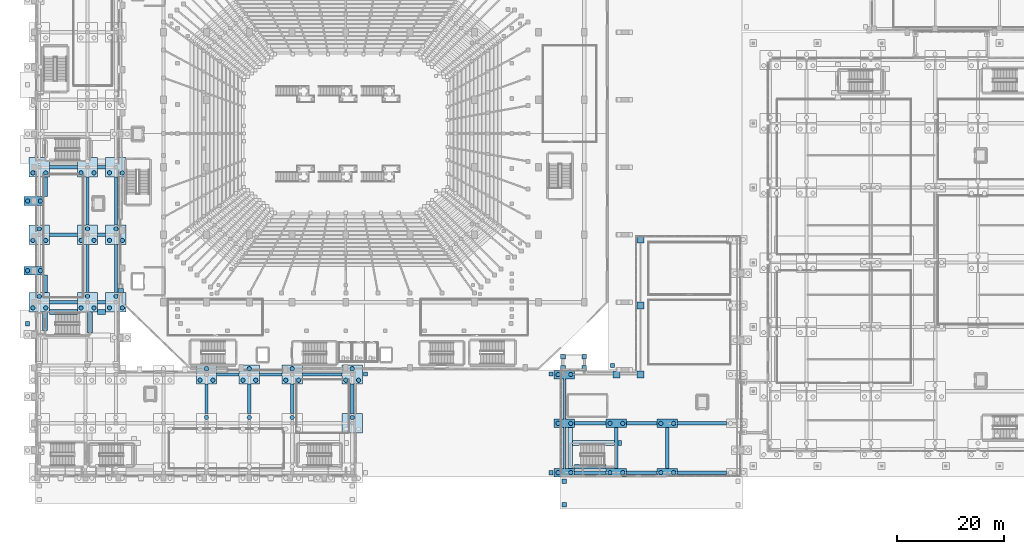
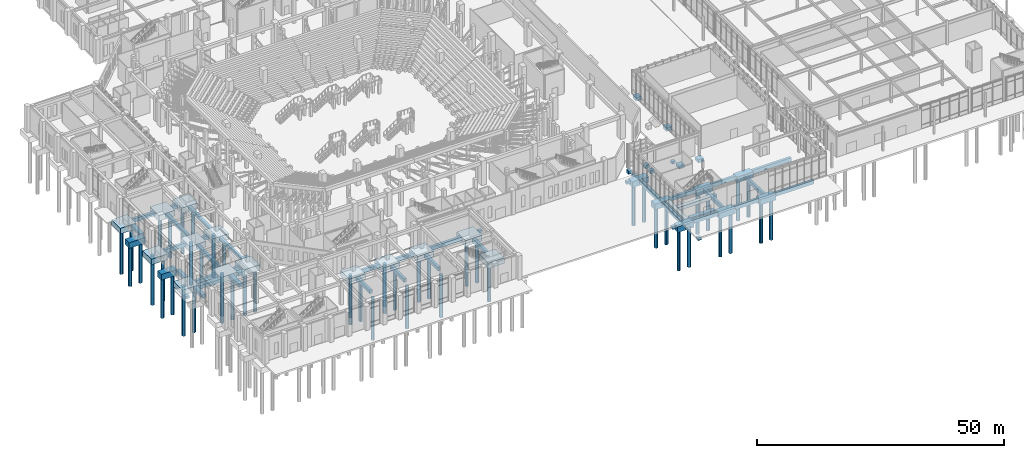
# One storey, part 2 of 143: 76 footings, 58 piles.
"""IFC4 building model written with IfcOpenShell, lengths in metres."""

from ifc_helpers import new_model, si_unit, derived_unit, direction, frame, origin, origin_2d, place, context, subcontext, project, spatial, rectangle, circle, extrude, material, layer, layer_set, material_profile, profile_set, type_object, element, save


model = new_model("IFC4")

# Units and contexts
model_context = context("Model", 3, precision=1e-05, world=origin(), true_north=direction((0.0, 1.0)))
body_context = subcontext(model_context, "Body", "Model", "MODEL_VIEW")
ifc_project = project(units=[si_unit("LENGTHUNIT", "METRE"), si_unit("AREAUNIT", "SQUARE_METRE"), si_unit("VOLUMEUNIT", "CUBIC_METRE"), si_unit("PLANEANGLEUNIT", "RADIAN"), si_unit("MASSUNIT", "GRAM", prefix="KILO"), derived_unit("THERMALTRANSMITTANCEUNIT", [(si_unit("MASSUNIT", "GRAM", prefix="KILO"), 1), (si_unit("TIMEUNIT", "SECOND"), -3), (si_unit("THERMODYNAMICTEMPERATUREUNIT", "KELVIN"), -1)])], contexts=[model_context])

# Site, building, storey
site_placement = place(None, origin())
site = spatial("IfcSite", under=ifc_project, at=site_placement, CompositionType="ELEMENT")
building_placement = place(site_placement, origin())
building = spatial("IfcBuilding", under=site, at=building_placement, Name="Valcora Ridge Arena", CompositionType="ELEMENT")
storey_placement = place(building_placement, origin())
storey = spatial("IfcBuildingStorey", under=building, at=storey_placement, Name="L00", CompositionType="ELEMENT", Elevation=0.0)

# Footings
ifc_material_1 = material(Name="Concrete C40/50", Category="concrete")
ifc_layer_1 = layer(ifc_material_1, 1.39990234375, Name="Concrete C40/50")
ifc_layer_set_1 = layer_set([ifc_layer_1], Name="Concrete C40/50")
footing_type_1 = type_object("IfcFootingType", Name="TY-FOOTING-PC-2P800", PredefinedType="PILE_CAP", material=ifc_layer_set_1)
for number, where, z_axis, x_axis, name in (
    (1, (98.800048828125, 0.800048828125, -1.849853515625), (0.0, 0.0, 1.0), (1.0, 0.0, 0.0), "PC-2P800 FND-PC-0156"),
    (2, (108.5, 0.800048828125, -1.849853515625), (0.0, 0.0, 1.0), (1.0, 0.0, 0.0), "PC-2P800 FND-PC-0157"),
    (3, (118.0, 0.800048828125, -1.849853515625), (0.0, 0.0, 1.0), (1.0, 0.0, 0.0), "PC-2P800 FND-PC-0158"),
    (4, (98.800048828125, 10.0, -1.849853515625), (0.0, 0.0, 1.0), (1.0, 0.0, 0.0), "PC-2P800 FND-PC-0160"),
    (5, (108.5, 10.0, -1.849853515625), (0.0, 0.0, 1.0), (1.0, 0.0, 0.0), "PC-2P800 FND-PC-0161"),
    (6, (118.0, 10.0, -1.849853515625), (0.0, 0.0, 1.0), (1.0, 0.0, 0.0), "PC-2P800 FND-PC-0162"),
    (7, (98.800048828125, 19.10009765625, -1.849853515625), (0.0, 0.0, 1.0), (1.0, 0.0, 0.0), "PC-2P800 FND-PC-0164"),
    (8, (-0.179931640625, 38.5, -1.849853515625), (0.0, 0.0, 1.0), (1.0, 0.0, 0.0), "PC-2P800 FND-PC-0252"),
    (9, (-0.179931640625, 51.5, -1.849853515625), (0.0, 0.0, 1.0), (1.0, 0.0, 0.0), "PC-2P800 FND-PC-0253"),
):
    element("IfcFooting", number, at=place(storey_placement, frame(where, z_axis=z_axis, x_axis=x_axis)), inside=storey, type_object=footing_type_1, Name=name, PredefinedType="PILE_CAP", context=body_context, shape_type="SweptSolid", body=[
        extrude(rectangle(XDim=3.800048828125, YDim=1.60009765625, at=origin_2d()), origin(), (0.0, 0.0, 1.0), 1.39990234375),
    ])
ifc_layer_2 = layer(ifc_material_1, 1.39990234375, Name="Concrete C40/50")
ifc_layer_set_2 = layer_set([ifc_layer_2], Name="Concrete C40/50")
footing_type_2 = type_object("IfcFootingType", Name="TY-FOOTING-PC-3P800", PredefinedType="PILE_CAP", material=ifc_layer_set_2)
for number, where, z_axis, x_axis, name in (
    (10, (32.0, 19.10009765625, -1.849853515625), (0.0, 0.0, 1.0), (1.0, 0.0, 0.0), "PC-3P800 FND-PC-0182"),
    (11, (40.0, 19.10009765625, -1.849853515625), (0.0, 0.0, 1.0), (1.0, 0.0, 0.0), "PC-3P800 FND-PC-0185"),
    (12, (48.0, 19.10009765625, -1.849853515625), (0.0, 0.0, 1.0), (1.0, 0.0, 0.0), "PC-3P800 FND-PC-0188"),
    (13, (59.199951171875, 10.0, -1.849853515625), (0.0, 0.0, 1.0), (1.0, 0.0, 0.0), "PC-3P800 FND-PC-0190"),
    (14, (59.199951171875, 19.10009765625, -1.849853515625), (0.0, 0.0, 1.0), (1.0, 0.0, 0.0), "PC-3P800 FND-PC-0191"),
    (15, (0.800048828125, 32.60009765625, -1.849853515625), (0.0, 0.0, 1.0), (1.0, 0.0, 0.0), "PC-3P800 FND-PC-0192"),
    (16, (0.800048828125, 45.199951171875, -1.849853515625), (0.0, 0.0, 1.0), (1.0, 0.0, 0.0), "PC-3P800 FND-PC-0193"),
    (17, (0.800048828125, 57.800048828125, -1.849853515625), (0.0, 0.0, 1.0), (1.0, 0.0, 0.0), "PC-3P800 FND-PC-0194"),
    (18, (9.800048828125, 32.60009765625, -1.849853515625), (0.0, 0.0, 1.0), (1.0, 0.0, 0.0), "PC-3P800 FND-PC-0198"),
    (19, (9.800048828125, 45.199951171875, -1.849853515625), (0.0, 0.0, 1.0), (1.0, 0.0, 0.0), "PC-3P800 FND-PC-0199"),
    (20, (9.800048828125, 57.800048828125, -1.849853515625), (0.0, 0.0, 1.0), (1.0, 0.0, 0.0), "PC-3P800 FND-PC-0200"),
    (21, (15.10009765625, 32.60009765625, -1.849853515625), (0.0, 0.0, 1.0), (1.0, 0.0, 0.0), "PC-3P800 FND-PC-0204"),
    (22, (15.10009765625, 45.199951171875, -1.849853515625), (0.0, 0.0, 1.0), (1.0, 0.0, 0.0), "PC-3P800 FND-PC-0205"),
    (23, (15.10009765625, 57.800048828125, -1.849853515625), (0.0, 0.0, 1.0), (1.0, 0.0, 0.0), "PC-3P800 FND-PC-0206"),
):
    element("IfcFooting", number, at=place(storey_placement, frame(where, z_axis=z_axis, x_axis=x_axis)), inside=storey, type_object=footing_type_2, Name=name, PredefinedType="PILE_CAP", context=body_context, shape_type="SweptSolid", body=[
        extrude(rectangle(XDim=3.800048828125, YDim=3.60009765625, at=origin_2d()), origin(), (0.0, 0.0, 1.0), 1.39990234375),
    ])
ifc_layer_3 = layer(ifc_material_1, 0.800048828125, Name="Concrete C40/50")
ifc_layer_set_3 = layer_set([ifc_layer_3], Name="Concrete C40/50")
footing_type_3 = type_object("IfcFootingType", Name="TY-FOOTING-PF-130", PredefinedType="PAD_FOOTING", material=ifc_layer_set_3)
for number, where, z_axis, x_axis, name in (
    (24, (108.5, 19.10009765625, -1.25), (0.0, 0.0, 1.0), (1.0, 0.0, 0.0), "PF-130 FND-SF-0033"),
    (25, (113.0, 19.10009765625, -1.25), (0.0, 0.0, 1.0), (1.0, 0.0, 0.0), "PF-130 FND-SF-0034"),
    (26, (113.0, 32.0, -1.25), (0.0, 0.0, 1.0), (1.0, 0.0, 0.0), "PF-130 FND-SF-0035"),
    (27, (113.0, 44.300048828125, -1.25), (0.0, 0.0, 1.0), (1.0, 0.0, 0.0), "PF-130 FND-SF-0036"),
):
    element("IfcFooting", number, at=place(storey_placement, frame(where, z_axis=z_axis, x_axis=x_axis)), inside=storey, type_object=footing_type_3, Name=name, PredefinedType="PAD_FOOTING", context=body_context, shape_type="SweptSolid", body=[
        extrude(rectangle(XDim=1.300048828125, YDim=1.300048828125, at=origin_2d()), origin(), (0.0, 0.0, 1.0), 0.800048828125),
    ])
ifc_layer_4 = layer(ifc_material_1, 0.800048828125, Name="Concrete C40/50")
ifc_layer_set_4 = layer_set([ifc_layer_4], Name="Concrete C40/50")
footing_type_4 = type_object("IfcFootingType", Name="TY-FOOTING-SF-BRG-900", PredefinedType="STRIP_FOOTING", material=ifc_layer_set_4)
footing_1_placement = place(storey_placement, frame((98.550048828125, 20.35107421875, -1.25), z_axis=(0.0, 0.0, 1.0), x_axis=(1.0, 0.0, 0.0)))
element("IfcFooting", 28, at=footing_1_placement, inside=storey, type_object=footing_type_4, Name="SF-BRG-900 FND-SF-0040", PredefinedType="STRIP_FOOTING", context=body_context, shape_type="SweptSolid", body=[
    extrude(rectangle(XDim=0.89990234375, YDim=0.89794921875, at=origin_2d()), origin(), (0.0, 0.0, 1.0), 0.800048828125),
])
for number, where, z_axis, x_axis, name in (
    (29, (102.5, 20.35009765625, -1.25), (0.0, 0.0, 1.0), (1.0, 0.0, 0.0), "SF-BRG-900 FND-SF-0041"),
    (30, (98.550048828125, 22.449951171875, -1.25), (0.0, 0.0, 1.0), (1.0, 0.0, 0.0), "SF-BRG-900 FND-SF-0042"),
    (31, (102.5, 22.449951171875, -1.25), (0.0, 0.0, 1.0), (1.0, 0.0, 0.0), "SF-BRG-900 FND-SF-0043"),
):
    element("IfcFooting", number, at=place(storey_placement, frame(where, z_axis=z_axis, x_axis=x_axis)), inside=storey, type_object=footing_type_4, Name=name, PredefinedType="STRIP_FOOTING", context=body_context, shape_type="SweptSolid", body=[
        extrude(rectangle(XDim=0.89990234375, YDim=0.89990234375, at=origin_2d()), origin(), (0.0, 0.0, 1.0), 0.800048828125),
    ])
ifc_material_2 = material(Name="Fire-resisting reinforced concrete enclosure C40/50 200 mm", Category="concrete")
ifc_layer_5 = layer(ifc_material_2, 0.800048828125, Name="Fire-resisting reinforced concrete enclosure C40/50 200 mm")
ifc_layer_set_5 = layer_set([ifc_layer_5], Name="Fire-resisting reinforced concrete enclosure C40/50 200 mm")
footing_type_5 = type_object("IfcFootingType", Name="TY-FOOTING-SF-ES-900", PredefinedType="STRIP_FOOTING", material=ifc_layer_set_5)
footing_2_placement = place(storey_placement, frame((5.300048828125, 30.81005859375, -1.25), z_axis=(0.0, 0.0, 1.0), x_axis=(1.0, 0.0, 0.0)))
element("IfcFooting", 32, at=footing_2_placement, inside=storey, type_object=footing_type_5, Name="SF-ES-900 FND-SF-0065", PredefinedType="STRIP_FOOTING", context=body_context, shape_type="SweptSolid", body=[
    extrude(rectangle(XDim=5.197998046875, YDim=0.89990234375, at=origin_2d()), origin(), (0.0, 0.0, 1.0), 0.800048828125),
])
footing_3_placement = place(storey_placement, frame((12.449951171875, 30.81005859375, -1.25), z_axis=(0.0, 0.0, 1.0), x_axis=(1.0, 0.0, 0.0)))
element("IfcFooting", 33, at=footing_3_placement, inside=storey, type_object=footing_type_5, Name="SF-ES-900 FND-SF-0066", PredefinedType="STRIP_FOOTING", context=body_context, shape_type="SweptSolid", body=[
    extrude(rectangle(XDim=1.498046875, YDim=0.89990234375, at=origin_2d()), origin(), (0.0, 0.0, 1.0), 0.800048828125),
])
footing_4_placement = place(storey_placement, frame((103.64990234375, 1.889892578125, -1.25), z_axis=(0.0, 0.0, 1.0), x_axis=(1.0, 0.0, 0.0)))
element("IfcFooting", 34, at=footing_4_placement, inside=storey, type_object=footing_type_5, Name="SF-ES-900 FND-SF-0081", PredefinedType="STRIP_FOOTING", context=body_context, shape_type="SweptSolid", body=[
    extrude(rectangle(XDim=5.89794921875, YDim=0.89990234375, at=origin_2d()), origin(), (0.0, 0.0, 1.0), 0.800048828125),
])
footing_5_placement = place(storey_placement, frame((104.27001953125, 6.31005859375, -1.25), z_axis=(0.0, 0.0, 1.0), x_axis=(1.0, 0.0, 0.0)))
element("IfcFooting", 35, at=footing_5_placement, inside=storey, type_object=footing_type_5, Name="SF-ES-900 FND-SF-0082", PredefinedType="STRIP_FOOTING", context=body_context, shape_type="SweptSolid", body=[
    extrude(rectangle(XDim=7.85791015625, YDim=0.89990234375, at=origin_2d()), origin(), (0.0, 0.0, 1.0), 0.800048828125),
])
footing_6_placement = place(storey_placement, frame((109.14111328125, 6.31005859375, -1.25), z_axis=(0.0, 0.0, 1.0), x_axis=(1.0, 0.0, 0.0)))
element("IfcFooting", 36, at=footing_6_placement, inside=storey, type_object=footing_type_5, Name="SF-ES-900 FND-SF-0083", PredefinedType="STRIP_FOOTING", context=body_context, shape_type="SweptSolid", body=[
    extrude(rectangle(XDim=0.677978515625, YDim=0.89990234375, at=origin_2d()), origin(), (0.0, 0.0, 1.0), 0.800048828125),
])
ifc_layer_6 = layer(ifc_material_2, 0.800048828125, Name="Fire-resisting reinforced concrete enclosure C40/50 200 mm")
ifc_layer_set_6 = layer_set([ifc_layer_6], Name="Fire-resisting reinforced concrete enclosure C40/50 200 mm")
footing_type_6 = type_object("IfcFootingType", Name="TY-FOOTING-SF-ESW-900", PredefinedType="STRIP_FOOTING", material=ifc_layer_set_6)
footing_7_placement = place(storey_placement, frame((1.889892578125, 29.050048828125, -1.25), z_axis=(0.0, 0.0, 1.0), x_axis=(1.0, 0.0, 0.0)))
element("IfcFooting", 37, at=footing_7_placement, inside=storey, type_object=footing_type_6, Name="SF-ESW-900 FND-SF-0068", PredefinedType="STRIP_FOOTING", context=body_context, shape_type="SweptSolid", body=[
    extrude(rectangle(XDim=0.89990234375, YDim=3.498046875, at=origin_2d()), origin(), (0.0, 0.0, 1.0), 0.800048828125),
])
footing_8_placement = place(storey_placement, frame((1.889892578125, 36.050048828125, -1.25), z_axis=(0.0, 0.0, 1.0), x_axis=(1.0, 0.0, 0.0)))
element("IfcFooting", 38, at=footing_8_placement, inside=storey, type_object=footing_type_6, Name="SF-ESW-900 FND-SF-0069", PredefinedType="STRIP_FOOTING", context=body_context, shape_type="SweptSolid", body=[
    extrude(rectangle(XDim=0.89990234375, YDim=3.298095703125, at=origin_2d()), origin(), (0.0, 0.0, 1.0), 0.800048828125),
])
footing_9_placement = place(storey_placement, frame((10.27001953125, 28.820068359375, -1.25), z_axis=(0.0, 0.0, 1.0), x_axis=(1.0, 0.0, 0.0)))
element("IfcFooting", 39, at=footing_9_placement, inside=storey, type_object=footing_type_6, Name="SF-ESW-900 FND-SF-0071", PredefinedType="STRIP_FOOTING", context=body_context, shape_type="SweptSolid", body=[
    extrude(rectangle(XDim=0.89990234375, YDim=3.9580078125, at=origin_2d()), origin(), (0.0, 0.0, 1.0), 0.800048828125),
])
footing_10_placement = place(storey_placement, frame((1.889892578125, 54.14990234375, -1.25), z_axis=(0.0, 0.0, 1.0), x_axis=(1.0, 0.0, 0.0)))
element("IfcFooting", 40, at=footing_10_placement, inside=storey, type_object=footing_type_6, Name="SF-ESW-900 FND-SF-0075", PredefinedType="STRIP_FOOTING", context=body_context, shape_type="SweptSolid", body=[
    extrude(rectangle(XDim=0.89990234375, YDim=3.697998046875, at=origin_2d()), origin(), (0.0, 0.0, 1.0), 0.800048828125),
])
footing_11_placement = place(storey_placement, frame((99.889892578125, 5.39990234375, -1.25), z_axis=(0.0, 0.0, 1.0), x_axis=(1.0, 0.0, 0.0)))
element("IfcFooting", 41, at=footing_11_placement, inside=storey, type_object=footing_type_6, Name="SF-ESW-900 FND-SF-0080", PredefinedType="STRIP_FOOTING", context=body_context, shape_type="SweptSolid", body=[
    extrude(rectangle(XDim=0.89990234375, YDim=7.597900390625, at=origin_2d()), origin(), (0.0, 0.0, 1.0), 0.800048828125),
])
ifc_layer_7 = layer(ifc_material_1, 0.60009765625, Name="Concrete C40/50")
ifc_layer_set_7 = layer_set([ifc_layer_7], Name="Concrete C40/50")
footing_type_7 = type_object("IfcFootingType", Name="TY-FOOTING-SF-PVG-800", PredefinedType="STRIP_FOOTING", material=ifc_layer_set_7)
for number, where, z_axis, x_axis, name in (
    (42, (96.300048828125, 0.800048828125, -1.0), (0.0, 0.0, 1.0), (1.0, 0.0, 0.0), "SF-PVG-800 FND-PV-0006"),
    (43, (96.300048828125, 19.199951171875, -1.0), (0.0, 0.0, 1.0), (1.0, 0.0, 0.0), "SF-PVG-800 FND-PV-0007"),
    (44, (61.699951171875, 19.199951171875, -1.0), (0.0, 0.0, 1.0), (1.0, 0.0, 0.0), "SF-PVG-800 FND-PV-0008"),
    (45, (98.800048828125, -5.199951171875, -1.0), (0.0, 0.0, 1.0), (1.0, 0.0, 0.0), "SF-PVG-800 FND-PV-0009"),
    (46, (98.800048828125, -0.800048828125, -1.0), (0.0, 0.0, 1.0), (1.0, 0.0, 0.0), "SF-PVG-800 FND-PV-0012"),
    (47, (107.800048828125, 20.800048828125, -1.0), (0.0, 0.0, 1.0), (1.0, 0.0, 0.0), "SF-PVG-800 FND-PV-0013"),
    (48, (-1.39990234375, 28.60009765625, -0.840087890625), (0.0, 0.0, 1.0), (1.0, 0.0, 0.0), "SF-PVG-800 FND-XP-0001"),
):
    element("IfcFooting", number, at=place(storey_placement, frame(where, z_axis=z_axis, x_axis=x_axis)), inside=storey, type_object=footing_type_7, Name=name, PredefinedType="STRIP_FOOTING", context=body_context, shape_type="SweptSolid", body=[
        extrude(rectangle(XDim=0.800048828125, YDim=0.800048828125, at=origin_2d()), origin(), (0.0, 0.0, 1.0), 0.60009765625),
    ])
ifc_layer_8 = layer(ifc_material_1, 0.800048828125, Name="Concrete C40/50")
ifc_layer_set_8 = layer_set([ifc_layer_8], Name="Concrete C40/50")
footing_type_8 = type_object("IfcFootingType", Name="TY-FOOTING-SF-STRAP-900", PredefinedType="STRIP_FOOTING", material=ifc_layer_set_8)
footing_12_placement = place(storey_placement, frame((16.0, 34.801025390625, -1.25), z_axis=(0.0, 0.0, 1.0), x_axis=(1.0, 0.0, 0.0)))
element("IfcFooting", 49, at=footing_12_placement, inside=storey, type_object=footing_type_8, Name="SF-STRAP-900 FND-SF-0003", PredefinedType="STRIP_FOOTING", context=body_context, shape_type="SweptSolid", body=[
    extrude(rectangle(XDim=1.10009765625, YDim=0.798095703125, at=origin_2d()), origin(), (0.0, 0.0, 1.0), 0.800048828125),
])
ifc_layer_9 = layer(ifc_material_1, 0.89990234375, Name="Concrete C40/50")
ifc_layer_set_9 = layer_set([ifc_layer_9], Name="Concrete C40/50")
footing_type_9 = type_object("IfcFootingType", Name="TY-FOOTING-TBX-015", PredefinedType="FOOTING_BEAM", material=ifc_layer_set_9)
for number, where, z_axis, x_axis, name in (
    (50, (12.449951171875, 32.60009765625, -1.349853515625), (0.0, 0.0, 1.0), (1.0, 0.0, 0.0), "TBX-015 FND-TB-0229"),
    (51, (12.449951171875, 45.199951171875, -1.349853515625), (0.0, 0.0, 1.0), (1.0, 0.0, 0.0), "TBX-015 FND-TB-0231"),
    (52, (12.449951171875, 57.800048828125, -1.349853515625), (0.0, 0.0, 1.0), (1.0, 0.0, 0.0), "TBX-015 FND-TB-0233"),
):
    element("IfcFooting", number, at=place(storey_placement, frame(where, z_axis=z_axis, x_axis=x_axis)), inside=storey, type_object=footing_type_9, Name=name, PredefinedType="FOOTING_BEAM", context=body_context, shape_type="SweptSolid", body=[
        extrude(rectangle(XDim=1.498046875, YDim=0.60009765625, at=origin_2d()), origin(), (0.0, 0.0, 1.0), 0.89990234375),
    ])
ifc_layer_10 = layer(ifc_material_1, 0.89990234375, Name="Concrete C40/50")
ifc_layer_set_10 = layer_set([ifc_layer_10], Name="Concrete C40/50")
footing_type_10 = type_object("IfcFootingType", Name="TY-FOOTING-TBX-042", PredefinedType="FOOTING_BEAM", material=ifc_layer_set_10)
for number, where, z_axis, x_axis, name in (
    (53, (36.0, 19.10009765625, -1.349853515625), (0.0, 0.0, 1.0), (1.0, 0.0, 0.0), "TBX-042 FND-TB-0225"),
    (54, (44.0, 19.10009765625, -1.349853515625), (0.0, 0.0, 1.0), (1.0, 0.0, 0.0), "TBX-042 FND-TB-0226"),
):
    element("IfcFooting", number, at=place(storey_placement, frame(where, z_axis=z_axis, x_axis=x_axis)), inside=storey, type_object=footing_type_10, Name=name, PredefinedType="FOOTING_BEAM", context=body_context, shape_type="SweptSolid", body=[
        extrude(rectangle(XDim=4.197998046875, YDim=0.60009765625, at=origin_2d()), origin(), (0.0, 0.0, 1.0), 0.89990234375),
    ])
ifc_layer_11 = layer(ifc_material_1, 0.89990234375, Name="Concrete C40/50")
ifc_layer_set_11 = layer_set([ifc_layer_11], Name="Concrete C40/50")
footing_type_11 = type_object("IfcFootingType", Name="TY-FOOTING-TBX-052", PredefinedType="FOOTING_BEAM", material=ifc_layer_set_11)
for number, where, z_axis, x_axis, name in (
    (55, (5.300048828125, 32.60009765625, -1.349853515625), (0.0, 0.0, 1.0), (1.0, 0.0, 0.0), "TBX-052 FND-TB-0228"),
    (56, (5.300048828125, 45.199951171875, -1.349853515625), (0.0, 0.0, 1.0), (1.0, 0.0, 0.0), "TBX-052 FND-TB-0230"),
    (57, (5.300048828125, 57.800048828125, -1.349853515625), (0.0, 0.0, 1.0), (1.0, 0.0, 0.0), "TBX-052 FND-TB-0232"),
):
    element("IfcFooting", number, at=place(storey_placement, frame(where, z_axis=z_axis, x_axis=x_axis)), inside=storey, type_object=footing_type_11, Name=name, PredefinedType="FOOTING_BEAM", context=body_context, shape_type="SweptSolid", body=[
        extrude(rectangle(XDim=5.197998046875, YDim=0.60009765625, at=origin_2d()), origin(), (0.0, 0.0, 1.0), 0.89990234375),
    ])
ifc_layer_12 = layer(ifc_material_1, 0.89990234375, Name="Concrete C40/50")
ifc_layer_set_12 = layer_set([ifc_layer_12], Name="Concrete C40/50")
footing_type_12 = type_object("IfcFootingType", Name="TY-FOOTING-TBX-057", PredefinedType="FOOTING_BEAM", material=ifc_layer_set_12)
for number, where, z_axis, x_axis, name in (
    (58, (113.25, 0.800048828125, -1.349853515625), (0.0, 0.0, 1.0), (1.0, 0.0, 0.0), "TBX-057 FND-TB-0209"),
    (59, (113.25, 10.0, -1.349853515625), (0.0, 0.0, 1.0), (1.0, 0.0, 0.0), "TBX-057 FND-TB-0219"),
):
    element("IfcFooting", number, at=place(storey_placement, frame(where, z_axis=z_axis, x_axis=x_axis)), inside=storey, type_object=footing_type_12, Name=name, PredefinedType="FOOTING_BEAM", context=body_context, shape_type="SweptSolid", body=[
        extrude(rectangle(XDim=5.697998046875, YDim=0.60009765625, at=origin_2d()), origin(), (0.0, 0.0, 1.0), 0.89990234375),
    ])
ifc_layer_13 = layer(ifc_material_1, 0.89990234375, Name="Concrete C40/50")
ifc_layer_set_13 = layer_set([ifc_layer_13], Name="Concrete C40/50")
footing_type_13 = type_object("IfcFootingType", Name="TY-FOOTING-TBX-059", PredefinedType="FOOTING_BEAM", material=ifc_layer_set_13)
for number, where, z_axis, x_axis, name in (
    (60, (103.64990234375, 0.800048828125, -1.349853515625), (0.0, 0.0, 1.0), (1.0, 0.0, 0.0), "TBX-059 FND-TB-0208"),
    (61, (103.64990234375, 10.0, -1.349853515625), (0.0, 0.0, 1.0), (1.0, 0.0, 0.0), "TBX-059 FND-TB-0218"),
):
    element("IfcFooting", number, at=place(storey_placement, frame(where, z_axis=z_axis, x_axis=x_axis)), inside=storey, type_object=footing_type_13, Name=name, PredefinedType="FOOTING_BEAM", context=body_context, shape_type="SweptSolid", body=[
        extrude(rectangle(XDim=5.89794921875, YDim=0.60009765625, at=origin_2d()), origin(), (0.0, 0.0, 1.0), 0.89990234375),
    ])
ifc_layer_14 = layer(ifc_material_1, 0.89990234375, Name="Concrete C40/50")
ifc_layer_set_14 = layer_set([ifc_layer_14], Name="Concrete C40/50")
footing_type_14 = type_object("IfcFootingType", Name="TY-FOOTING-TBX-074", PredefinedType="FOOTING_BEAM", material=ifc_layer_set_14)
footing_13_placement = place(storey_placement, frame((53.60009765625, 19.10009765625, -1.349853515625), z_axis=(0.0, 0.0, 1.0), x_axis=(1.0, 0.0, 0.0)))
element("IfcFooting", 62, at=footing_13_placement, inside=storey, type_object=footing_type_14, Name="TBX-074 FND-TB-0227", PredefinedType="FOOTING_BEAM", context=body_context, shape_type="SweptSolid", body=[
    extrude(rectangle(XDim=7.39794921875, YDim=0.60009765625, at=origin_2d()), origin(), (0.0, 0.0, 1.0), 0.89990234375),
])
ifc_layer_15 = layer(ifc_material_1, 0.89990234375, Name="Concrete C40/50")
ifc_layer_set_15 = layer_set([ifc_layer_15], Name="Concrete C40/50")
footing_type_15 = type_object("IfcFootingType", Name="TY-FOOTING-TBX-092", PredefinedType="FOOTING_BEAM", material=ifc_layer_set_15)
for number, where, z_axis, x_axis, name in (
    (63, (124.5, 0.800048828125, -1.349853515625), (0.0, 0.0, 1.0), (1.0, 0.0, 0.0), "TBX-092 FND-TB-0210"),
    (64, (124.5, 10.0, -1.349853515625), (0.0, 0.0, 1.0), (1.0, 0.0, 0.0), "TBX-092 FND-TB-0220"),
):
    element("IfcFooting", number, at=place(storey_placement, frame(where, z_axis=z_axis, x_axis=x_axis)), inside=storey, type_object=footing_type_15, Name=name, PredefinedType="FOOTING_BEAM", context=body_context, shape_type="SweptSolid", body=[
        extrude(rectangle(XDim=9.197998046875, YDim=0.60009765625, at=origin_2d()), origin(), (0.0, 0.0, 1.0), 0.89990234375),
    ])
ifc_layer_16 = layer(ifc_material_1, 0.89990234375, Name="Concrete C40/50")
ifc_layer_set_16 = layer_set([ifc_layer_16], Name="Concrete C40/50")
footing_type_16 = type_object("IfcFootingType", Name="TY-FOOTING-TBY-055", PredefinedType="FOOTING_BEAM", material=ifc_layer_set_16)
for number, where, z_axis, x_axis, name in (
    (65, (32.0, 14.550048828125, -1.349853515625), (0.0, 0.0, 1.0), (1.0, 0.0, 0.0), "TBY-055 FND-TB-0285"),
    (66, (40.0, 14.550048828125, -1.349853515625), (0.0, 0.0, 1.0), (1.0, 0.0, 0.0), "TBY-055 FND-TB-0287"),
    (67, (48.0, 14.550048828125, -1.349853515625), (0.0, 0.0, 1.0), (1.0, 0.0, 0.0), "TBY-055 FND-TB-0289"),
    (68, (59.199951171875, 14.550048828125, -1.349853515625), (0.0, 0.0, 1.0), (1.0, 0.0, 0.0), "TBY-055 FND-TB-0291"),
):
    element("IfcFooting", number, at=place(storey_placement, frame(where, z_axis=z_axis, x_axis=x_axis)), inside=storey, type_object=footing_type_16, Name=name, PredefinedType="FOOTING_BEAM", context=body_context, shape_type="SweptSolid", body=[
        extrude(rectangle(XDim=0.60009765625, YDim=5.498046875, at=origin_2d()), origin(), (0.0, 0.0, 1.0), 0.89990234375),
    ])
ifc_layer_17 = layer(ifc_material_1, 0.89990234375, Name="Concrete C40/50")
ifc_layer_set_17 = layer_set([ifc_layer_17], Name="Concrete C40/50")
footing_type_17 = type_object("IfcFootingType", Name="TY-FOOTING-TBY-075", PredefinedType="FOOTING_BEAM", material=ifc_layer_set_17)
footing_14_placement = place(storey_placement, frame((98.800048828125, 14.550048828125, -1.349853515625), z_axis=(0.0, 0.0, 1.0), x_axis=(1.0, 0.0, 0.0)))
element("IfcFooting", 69, at=footing_14_placement, inside=storey, type_object=footing_type_17, Name="TBY-075 FND-TB-0270", PredefinedType="FOOTING_BEAM", context=body_context, shape_type="SweptSolid", body=[
    extrude(rectangle(XDim=0.60009765625, YDim=7.498046875, at=origin_2d()), origin(), (0.0, 0.0, 1.0), 0.89990234375),
])
ifc_layer_18 = layer(ifc_material_1, 0.89990234375, Name="Concrete C40/50")
ifc_layer_set_18 = layer_set([ifc_layer_18], Name="Concrete C40/50")
footing_type_18 = type_object("IfcFootingType", Name="TY-FOOTING-TBY-076", PredefinedType="FOOTING_BEAM", material=ifc_layer_set_18)
for number, where, z_axis, x_axis, name in (
    (70, (98.800048828125, 5.39990234375, -1.349853515625), (0.0, 0.0, 1.0), (1.0, 0.0, 0.0), "TBY-076 FND-TB-0269"),
    (71, (108.5, 5.39990234375, -1.349853515625), (0.0, 0.0, 1.0), (1.0, 0.0, 0.0), "TBY-076 FND-TB-0271"),
    (72, (118.0, 5.39990234375, -1.349853515625), (0.0, 0.0, 1.0), (1.0, 0.0, 0.0), "TBY-076 FND-TB-0272"),
):
    element("IfcFooting", number, at=place(storey_placement, frame(where, z_axis=z_axis, x_axis=x_axis)), inside=storey, type_object=footing_type_18, Name=name, PredefinedType="FOOTING_BEAM", context=body_context, shape_type="SweptSolid", body=[
        extrude(rectangle(XDim=0.60009765625, YDim=7.597900390625, at=origin_2d()), origin(), (0.0, 0.0, 1.0), 0.89990234375),
    ])
ifc_layer_19 = layer(ifc_material_1, 0.89990234375, Name="Concrete C40/50")
ifc_layer_set_19 = layer_set([ifc_layer_19], Name="Concrete C40/50")
footing_type_19 = type_object("IfcFootingType", Name="TY-FOOTING-TBY-090", PredefinedType="FOOTING_BEAM", material=ifc_layer_set_19)
for number, where, z_axis, x_axis, name in (
    (73, (15.10009765625, 38.89990234375, -1.349853515625), (0.0, 0.0, 1.0), (1.0, 0.0, 0.0), "TBY-090 FND-TB-0278"),
    (74, (15.10009765625, 51.5, -1.349853515625), (0.0, 0.0, 1.0), (1.0, 0.0, 0.0), "TBY-090 FND-TB-0279"),
    (75, (9.800048828125, 38.89990234375, -1.349853515625), (0.0, 0.0, 1.0), (1.0, 0.0, 0.0), "TBY-090 FND-TB-0292"),
    (76, (9.800048828125, 51.5, -1.349853515625), (0.0, 0.0, 1.0), (1.0, 0.0, 0.0), "TBY-090 FND-TB-0293"),
):
    element("IfcFooting", number, at=place(storey_placement, frame(where, z_axis=z_axis, x_axis=x_axis)), inside=storey, type_object=footing_type_19, Name=name, PredefinedType="FOOTING_BEAM", context=body_context, shape_type="SweptSolid", body=[
        extrude(rectangle(XDim=0.60009765625, YDim=8.998046875, at=origin_2d()), origin(), (0.0, 0.0, 1.0), 0.89990234375),
    ])

# Piles
ifc_material_3 = material(Name="Concrete C35/45", Category="concrete")
ifc_material_profile_1 = material_profile(ifc_material_3, circle(Radius=0.39990234375, at=origin_2d()), Name="BORED PILE D800")
ifc_profile_set_1 = profile_set([ifc_material_profile_1], Name="Concrete C35/45")
pile_type_1 = type_object("IfcPileType", Name="TY-PILE-P-800A", PredefinedType="BORED", material=ifc_profile_set_1)
for number, where, z_axis, x_axis, name in (
    (77, (32.0, 11.10009765625, -1.75), (0.0, 0.0, -1.0), (1.0, 0.0, 0.0), "P-800A FND-PL-P-800A-0147"),
    (78, (30.800048828125, 18.050048828125, -1.75), (0.0, 0.0, -1.0), (1.0, 0.0, 0.0), "P-800A FND-PL-P-800A-0148"),
    (79, (33.199951171875, 18.050048828125, -1.75), (0.0, 0.0, -1.0), (1.0, 0.0, 0.0), "P-800A FND-PL-P-800A-0149"),
    (80, (32.0, 20.199951171875, -1.75), (0.0, 0.0, -1.0), (1.0, 0.0, 0.0), "P-800A FND-PL-P-800A-0150"),
    (81, (40.0, 11.10009765625, -1.75), (0.0, 0.0, -1.0), (1.0, 0.0, 0.0), "P-800A FND-PL-P-800A-0156"),
    (82, (38.800048828125, 18.050048828125, -1.75), (0.0, 0.0, -1.0), (1.0, 0.0, 0.0), "P-800A FND-PL-P-800A-0157"),
    (83, (41.199951171875, 18.050048828125, -1.75), (0.0, 0.0, -1.0), (1.0, 0.0, 0.0), "P-800A FND-PL-P-800A-0158"),
    (84, (40.0, 20.199951171875, -1.75), (0.0, 0.0, -1.0), (1.0, 0.0, 0.0), "P-800A FND-PL-P-800A-0159"),
    (85, (48.0, 11.10009765625, -1.75), (0.0, 0.0, -1.0), (1.0, 0.0, 0.0), "P-800A FND-PL-P-800A-0165"),
    (86, (46.800048828125, 18.050048828125, -1.75), (0.0, 0.0, -1.0), (1.0, 0.0, 0.0), "P-800A FND-PL-P-800A-0166"),
    (87, (49.199951171875, 18.050048828125, -1.75), (0.0, 0.0, -1.0), (1.0, 0.0, 0.0), "P-800A FND-PL-P-800A-0167"),
    (88, (48.0, 20.199951171875, -1.75), (0.0, 0.0, -1.0), (1.0, 0.0, 0.0), "P-800A FND-PL-P-800A-0168"),
    (89, (59.199951171875, 11.10009765625, -1.75), (0.0, 0.0, -1.0), (1.0, 0.0, 0.0), "P-800A FND-PL-P-800A-0174"),
    (90, (58.0, 18.050048828125, -1.75), (0.0, 0.0, -1.0), (1.0, 0.0, 0.0), "P-800A FND-PL-P-800A-0175"),
    (91, (60.39990234375, 18.050048828125, -1.75), (0.0, 0.0, -1.0), (1.0, 0.0, 0.0), "P-800A FND-PL-P-800A-0176"),
    (92, (59.199951171875, 20.199951171875, -1.75), (0.0, 0.0, -1.0), (1.0, 0.0, 0.0), "P-800A FND-PL-P-800A-0177"),
    (93, (-0.39990234375, 31.550048828125, -1.75), (0.0, 0.0, -1.0), (1.0, 0.0, 0.0), "P-800A FND-PL-P-800A-0178"),
    (94, (2.0, 31.550048828125, -1.75), (0.0, 0.0, -1.0), (1.0, 0.0, 0.0), "P-800A FND-PL-P-800A-0179"),
    (95, (0.800048828125, 33.699951171875, -1.75), (0.0, 0.0, -1.0), (1.0, 0.0, 0.0), "P-800A FND-PL-P-800A-0180"),
    (96, (-0.39990234375, 44.14990234375, -1.75), (0.0, 0.0, -1.0), (1.0, 0.0, 0.0), "P-800A FND-PL-P-800A-0181"),
    (97, (2.0, 44.14990234375, -1.75), (0.0, 0.0, -1.0), (1.0, 0.0, 0.0), "P-800A FND-PL-P-800A-0182"),
    (98, (0.800048828125, 46.300048828125, -1.75), (0.0, 0.0, -1.0), (1.0, 0.0, 0.0), "P-800A FND-PL-P-800A-0183"),
    (99, (-0.39990234375, 56.75, -1.75), (0.0, 0.0, -1.0), (1.0, 0.0, 0.0), "P-800A FND-PL-P-800A-0184"),
    (100, (2.0, 56.75, -1.75), (0.0, 0.0, -1.0), (1.0, 0.0, 0.0), "P-800A FND-PL-P-800A-0185"),
    (101, (8.60009765625, 31.550048828125, -1.75), (0.0, 0.0, -1.0), (1.0, 0.0, 0.0), "P-800A FND-PL-P-800A-0196"),
    (102, (11.0, 31.550048828125, -1.75), (0.0, 0.0, -1.0), (1.0, 0.0, 0.0), "P-800A FND-PL-P-800A-0197"),
    (103, (9.800048828125, 33.699951171875, -1.75), (0.0, 0.0, -1.0), (1.0, 0.0, 0.0), "P-800A FND-PL-P-800A-0198"),
    (104, (8.60009765625, 44.14990234375, -1.75), (0.0, 0.0, -1.0), (1.0, 0.0, 0.0), "P-800A FND-PL-P-800A-0199"),
    (105, (11.0, 44.14990234375, -1.75), (0.0, 0.0, -1.0), (1.0, 0.0, 0.0), "P-800A FND-PL-P-800A-0200"),
    (106, (9.800048828125, 46.300048828125, -1.75), (0.0, 0.0, -1.0), (1.0, 0.0, 0.0), "P-800A FND-PL-P-800A-0201"),
    (107, (8.60009765625, 56.75, -1.75), (0.0, 0.0, -1.0), (1.0, 0.0, 0.0), "P-800A FND-PL-P-800A-0202"),
    (108, (11.0, 56.75, -1.75), (0.0, 0.0, -1.0), (1.0, 0.0, 0.0), "P-800A FND-PL-P-800A-0203"),
    (109, (13.89990234375, 31.550048828125, -1.75), (0.0, 0.0, -1.0), (1.0, 0.0, 0.0), "P-800A FND-PL-P-800A-0214"),
    (110, (16.300048828125, 31.550048828125, -1.75), (0.0, 0.0, -1.0), (1.0, 0.0, 0.0), "P-800A FND-PL-P-800A-0215"),
    (111, (15.10009765625, 33.699951171875, -1.75), (0.0, 0.0, -1.0), (1.0, 0.0, 0.0), "P-800A FND-PL-P-800A-0216"),
    (112, (13.89990234375, 44.14990234375, -1.75), (0.0, 0.0, -1.0), (1.0, 0.0, 0.0), "P-800A FND-PL-P-800A-0217"),
    (113, (16.300048828125, 44.14990234375, -1.75), (0.0, 0.0, -1.0), (1.0, 0.0, 0.0), "P-800A FND-PL-P-800A-0218"),
    (114, (15.10009765625, 46.300048828125, -1.75), (0.0, 0.0, -1.0), (1.0, 0.0, 0.0), "P-800A FND-PL-P-800A-0219"),
    (115, (13.89990234375, 56.75, -1.75), (0.0, 0.0, -1.0), (1.0, 0.0, 0.0), "P-800A FND-PL-P-800A-0220"),
    (116, (16.300048828125, 56.75, -1.75), (0.0, 0.0, -1.0), (1.0, 0.0, 0.0), "P-800A FND-PL-P-800A-0221"),
):
    element("IfcPile", number, at=place(storey_placement, frame(where, z_axis=z_axis, x_axis=x_axis)), inside=storey, type_object=pile_type_1, Name=name, PredefinedType="BORED", context=body_context, shape_type="SweptSolid", body=[
        extrude(circle(Radius=0.39990234375, at=origin_2d()), origin(), (0.0, 0.0, 1.0), 10.5),
    ])
ifc_material_profile_2 = material_profile(ifc_material_3, circle(Radius=0.39990234375, at=origin_2d()), Name="BORED PILE D800")
ifc_profile_set_2 = profile_set([ifc_material_profile_2], Name="Concrete C35/45")
pile_type_2 = type_object("IfcPileType", Name="TY-PILE-P-800B", PredefinedType="BORED", material=ifc_profile_set_2)
for number, where, z_axis, x_axis, name in (
    (117, (97.60009765625, 0.800048828125, -1.75), (0.0, 0.0, -1.0), (1.0, 0.0, 0.0), "P-800B FND-PL-P-800B-0013"),
    (118, (100.0, 0.800048828125, -1.75), (0.0, 0.0, -1.0), (1.0, 0.0, 0.0), "P-800B FND-PL-P-800B-0014"),
    (119, (107.300048828125, 0.800048828125, -1.75), (0.0, 0.0, -1.0), (1.0, 0.0, 0.0), "P-800B FND-PL-P-800B-0015"),
    (120, (109.699951171875, 0.800048828125, -1.75), (0.0, 0.0, -1.0), (1.0, 0.0, 0.0), "P-800B FND-PL-P-800B-0016"),
    (121, (116.800048828125, 0.800048828125, -1.75), (0.0, 0.0, -1.0), (1.0, 0.0, 0.0), "P-800B FND-PL-P-800B-0017"),
    (122, (119.199951171875, 0.800048828125, -1.75), (0.0, 0.0, -1.0), (1.0, 0.0, 0.0), "P-800B FND-PL-P-800B-0018"),
    (123, (97.60009765625, 10.0, -1.75), (0.0, 0.0, -1.0), (1.0, 0.0, 0.0), "P-800B FND-PL-P-800B-0021"),
    (124, (100.0, 10.0, -1.75), (0.0, 0.0, -1.0), (1.0, 0.0, 0.0), "P-800B FND-PL-P-800B-0022"),
    (125, (107.300048828125, 10.0, -1.75), (0.0, 0.0, -1.0), (1.0, 0.0, 0.0), "P-800B FND-PL-P-800B-0023"),
    (126, (109.699951171875, 10.0, -1.75), (0.0, 0.0, -1.0), (1.0, 0.0, 0.0), "P-800B FND-PL-P-800B-0024"),
    (127, (116.800048828125, 10.0, -1.75), (0.0, 0.0, -1.0), (1.0, 0.0, 0.0), "P-800B FND-PL-P-800B-0025"),
    (128, (119.199951171875, 10.0, -1.75), (0.0, 0.0, -1.0), (1.0, 0.0, 0.0), "P-800B FND-PL-P-800B-0026"),
    (129, (97.60009765625, 19.10009765625, -1.75), (0.0, 0.0, -1.0), (1.0, 0.0, 0.0), "P-800B FND-PL-P-800B-0029"),
    (130, (100.0, 19.10009765625, -1.75), (0.0, 0.0, -1.0), (1.0, 0.0, 0.0), "P-800B FND-PL-P-800B-0030"),
    (131, (-1.3798828125, 38.5, -1.75), (0.0, 0.0, -1.0), (1.0, 0.0, 0.0), "P-800B FND-PL-P-800B-0111"),
    (132, (1.02001953125, 38.5, -1.75), (0.0, 0.0, -1.0), (1.0, 0.0, 0.0), "P-800B FND-PL-P-800B-0112"),
    (133, (-1.3798828125, 51.5, -1.75), (0.0, 0.0, -1.0), (1.0, 0.0, 0.0), "P-800B FND-PL-P-800B-0113"),
    (134, (1.02001953125, 51.5, -1.75), (0.0, 0.0, -1.0), (1.0, 0.0, 0.0), "P-800B FND-PL-P-800B-0114"),
):
    element("IfcPile", number, at=place(storey_placement, frame(where, z_axis=z_axis, x_axis=x_axis)), inside=storey, type_object=pile_type_2, Name=name, PredefinedType="BORED", context=body_context, shape_type="SweptSolid", body=[
        extrude(circle(Radius=0.39990234375, at=origin_2d()), origin(), (0.0, 0.0, 1.0), 10.0),
    ])

save(model, "model.ifc")
